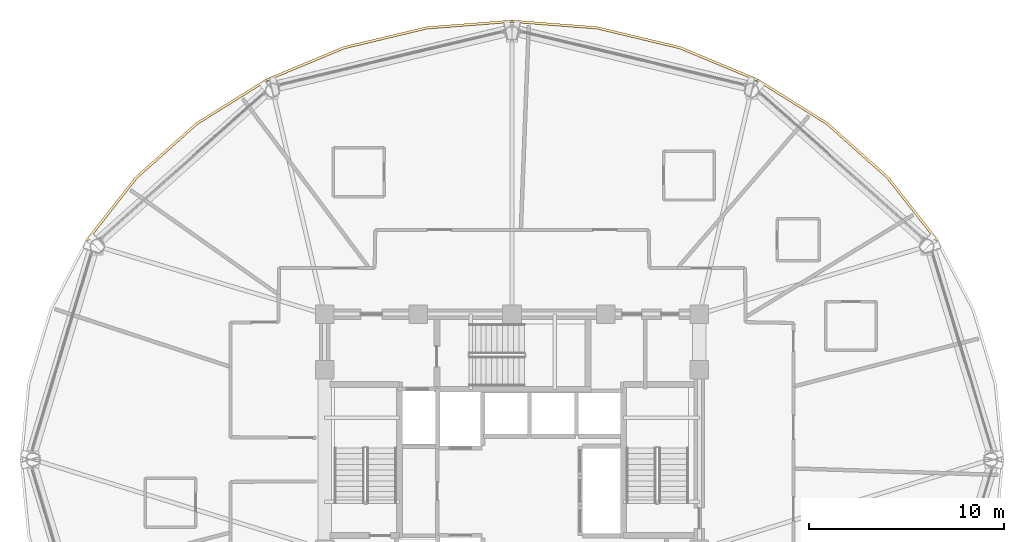
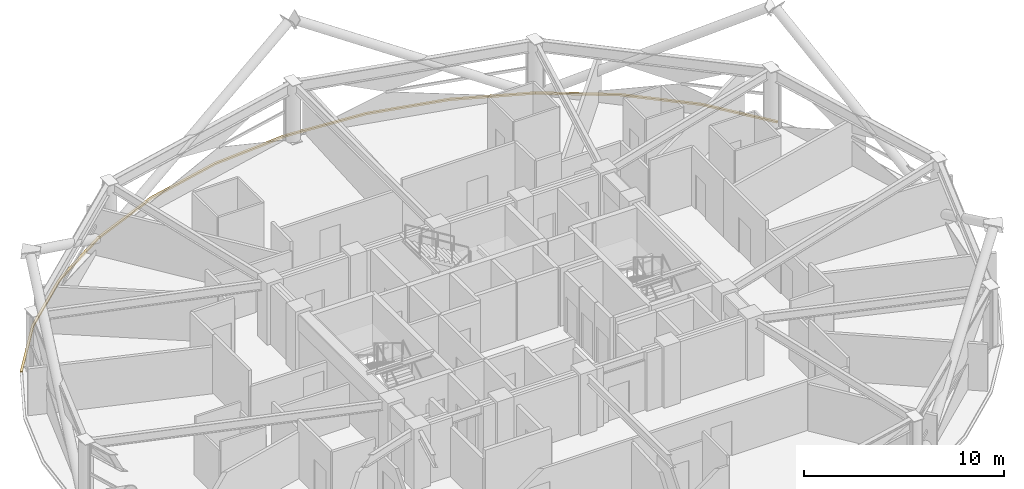
# One storey, part 29 of 29: 4 coverings.
"""IFC4 building model written with IfcOpenShell, lengths in metres."""

import ifcopenshell
import ifcopenshell.guid

model = None  # the IFC model being written
_history = None  # IfcOwnerHistory: only IFC2X3 demands one
_inside = {}  # id of a spatial element -> (the spatial element, [elements in it])
_under = {}  # id of a project, library or spatial element -> (it, [spatial elements below it])
_declared = {}  # id of a project -> (the project, [libraries it declares])
_typed = {}  # id of a type object -> (the type object, [elements of that type])
_made_of = {}  # id of a material, layer set ... -> (it, [elements and type objects made of it])


def new_model(schema):
    """Start an empty IFC model of exactly this schema.

    Asked for "IFC4X3", IfcOpenShell would pick the latest addendum, in which some entities
    have other attributes; the version numbers below select the first issue.
    IFC2X3 requires an IfcOwnerHistory on every rooted entity: one is made here for all.
    """
    global model, _history
    if schema == "IFC4X3":
        model = ifcopenshell.file(schema_version=(4, 3, 0, 0))
    else:
        model = ifcopenshell.file(schema=schema)
    _inside.clear()
    _under.clear()
    _declared.clear()
    _typed.clear()
    _made_of.clear()
    _history = None
    if model.schema == "IFC2X3":
        org = make("IfcOrganization", Name="unknown")
        user = make(
            "IfcPersonAndOrganization",
            ThePerson=make("IfcPerson", FamilyName="unknown"),
            TheOrganization=org,
        )
        app = make(
            "IfcApplication",
            ApplicationDeveloper=org,
            Version="unknown",
            ApplicationFullName="unknown",
            ApplicationIdentifier="unknown",
        )
        _history = make(
            "IfcOwnerHistory",
            OwningUser=user,
            OwningApplication=app,
            ChangeAction="ADDED",
            CreationDate=0,
        )
    return model


def make(cls, **values):
    """One entity of the class cls with the attributes given. An attribute that is None is left unset."""
    return model.create_entity(
        cls, **{name: value for name, value in values.items() if value is not None}
    )


def rooted(cls, **values):
    """An entity with a GlobalId (a new one), such as an element, a storey or a relation."""
    return make(cls, GlobalId=ifcopenshell.guid.new(), OwnerHistory=_history, **values)


def si_unit(unit_type, name, prefix=None):
    """IfcSIUnit, for example si_unit("LENGTHUNIT", "METRE", prefix="MILLI")."""
    return make("IfcSIUnit", UnitType=unit_type, Prefix=prefix, Name=name)


def assignment(units):
    """IfcUnitAssignment: the units of a project."""
    return None if units is None else make("IfcUnitAssignment", Units=units)


def point(xyz):
    """IfcCartesianPoint."""
    return None if xyz is None else make("IfcCartesianPoint", Coordinates=xyz)


def direction(xyz):
    """IfcDirection."""
    return None if xyz is None else make("IfcDirection", DirectionRatios=xyz)


def frame(location, z_axis=None, x_axis=None):
    """IfcAxis2Placement3D, a coordinate frame: its origin and axes. An axis left out is left unset."""
    return make(
        "IfcAxis2Placement3D",
        Location=point(location),
        Axis=direction(z_axis),
        RefDirection=direction(x_axis),
    )


def origin():
    """The frame at (0, 0, 0) with its axes left unset."""
    return frame((0.0, 0.0, 0.0))


def place(relative_to, where):
    """IfcLocalPlacement: puts the frame where relative to a parent placement (None: the world)."""
    return make(
        "IfcLocalPlacement", PlacementRelTo=relative_to, RelativePlacement=where
    )


def context(
    kind, dimensions, precision=None, world=None, true_north=None, identifier=None
):
    """IfcGeometricRepresentationContext, for example the 3D "Model" context."""
    return make(
        "IfcGeometricRepresentationContext",
        ContextIdentifier=identifier,
        ContextType=kind,
        CoordinateSpaceDimension=dimensions,
        Precision=precision,
        WorldCoordinateSystem=world,
        TrueNorth=true_north,
    )


def subcontext(parent, identifier, kind, view, scale=None):
    """IfcGeometricRepresentationSubContext, for example "Body" below "Model"."""
    return make(
        "IfcGeometricRepresentationSubContext",
        ContextIdentifier=identifier,
        ContextType=kind,
        ParentContext=parent,
        TargetScale=scale,
        TargetView=view,
    )


def project(units=None, contexts=None):
    """IfcProject with its units and contexts."""
    return rooted(
        "IfcProject",
        Name="project",
        RepresentationContexts=contexts,
        UnitsInContext=assignment(units),
    )


def spatial(cls, under=None, at=None, **own):
    """A site, building, storey or space (cls), placed at a placement, below another one or the project."""
    s = rooted(cls, ObjectPlacement=at, **own)
    if under is not None:
        _under.setdefault(under.id(), (under, []))[1].append(s)
    return s


def polyline(points):
    """IfcPolyline through the points."""
    return make("IfcPolyline", Points=[point(p) for p in points])


def outline(outer, holes=None, kind="AREA"):
    """IfcArbitraryClosedProfileDef: a profile drawn as a closed curve; with holes, ...WithVoids."""
    if holes is None:
        return make("IfcArbitraryClosedProfileDef", ProfileType=kind, OuterCurve=outer)
    return make(
        "IfcArbitraryProfileDefWithVoids",
        ProfileType=kind,
        OuterCurve=outer,
        InnerCurves=holes,
    )


def extrude(swept, where, along, depth):
    """IfcExtrudedAreaSolid: the profile swept, set in the frame where, extruded along a direction by depth."""
    return make(
        "IfcExtrudedAreaSolid",
        SweptArea=swept,
        Position=where,
        ExtrudedDirection=direction(along),
        Depth=depth,
    )


def shape(context_of_items, identifier, shape_type, items):
    """IfcShapeRepresentation: the items that make up one representation, for example the "Body"."""
    return make(
        "IfcShapeRepresentation",
        ContextOfItems=context_of_items,
        RepresentationIdentifier=identifier,
        RepresentationType=shape_type,
        Items=items,
    )


def material(Name=None, Category=None):
    """IfcMaterial."""
    return make("IfcMaterial", Name=Name, Category=Category)


def layer(
    of_material, thickness, ventilated=None, Name=None, Category=None, Priority=None
):
    """IfcMaterialLayer: one layer of a wall or slab, of a material (None: an air gap)."""
    return make(
        "IfcMaterialLayer",
        Material=of_material,
        LayerThickness=thickness,
        IsVentilated=ventilated,
        Name=Name,
        Category=Category,
        Priority=Priority,
    )


def layer_set(layers, Name=None):
    """IfcMaterialLayerSet."""
    return make("IfcMaterialLayerSet", MaterialLayers=layers, LayerSetName=Name)


def made_of(thing, what):
    """Note that an element or type object is made of a material, layer set ...; save() writes the relation."""
    if what is not None:
        _made_of.setdefault(what.id(), (what, []))[1].append(thing)
    return thing


def type_object(cls, material=None, **own):
    """A type object (cls), such as IfcWallType, which elements share."""
    return made_of(rooted(cls, **own), material)


def element(
    cls,
    number,
    at=None,
    inside=None,
    cuts=None,
    type_object=None,
    material=None,
    context=None,
    identifier="Body",
    shape_type=None,
    held_by="IfcProductDefinitionShape",
    body=None,
    shapes=None,
    **own,
):
    """One element of the class cls, such as IfcWall. Its Tag is "e" and its number.

    at: its placement. inside: the storey or other place that contains it. cuts: it is an
    opening in that element (IfcRelVoidsElement). A single representation is given by context,
    identifier, shape_type and body (its items); several are given by shapes. held_by: the class
    of the entity that holds the representations. save() writes the other relations.
    """
    e = rooted(cls, Tag="e%d" % number, ObjectPlacement=at, **own)
    if body is not None:
        shapes = [shape(context, identifier, shape_type, body)]
    if shapes is not None:
        e.Representation = make(held_by, Representations=shapes)
    if inside is not None:
        _inside.setdefault(inside.id(), (inside, []))[1].append(e)
    if cuts is not None:
        rooted(
            "IfcRelVoidsElement", RelatingBuildingElement=cuts, RelatedOpeningElement=e
        )
    if type_object is not None:
        _typed.setdefault(type_object.id(), (type_object, []))[1].append(e)
    return made_of(e, material)


def aggregate(whole, parts):
    """IfcRelAggregates: a whole, such as a stair, and the parts it consists of."""
    return rooted("IfcRelAggregates", RelatingObject=whole, RelatedObjects=parts)


def save(model, path):
    """Write the relations noted so far, then the file.

    IfcRelAggregates (storeys below a building ...), IfcRelContainedInSpatialStructure (elements
    in a storey), IfcRelDefinesByType, IfcRelAssociatesMaterial and IfcRelDeclares: one each for
    every whole, place, type object, material and project.
    """
    for whole, parts in _under.values():
        aggregate(whole, parts)
    for where, things in _inside.values():
        rooted(
            "IfcRelContainedInSpatialStructure",
            RelatedElements=things,
            RelatingStructure=where,
        )
    for kind, things in _typed.values():
        rooted("IfcRelDefinesByType", RelatedObjects=things, RelatingType=kind)
    for what, things in _made_of.values():
        rooted("IfcRelAssociatesMaterial", RelatedObjects=things, RelatingMaterial=what)
    for by, libraries in _declared.values():
        rooted("IfcRelDeclares", RelatingContext=by, RelatedDefinitions=libraries)
    model.write(path)


model = new_model("IFC4")

# Units and contexts
model_context = context("Model", 3, precision=1e-05, world=origin(), true_north=direction((0.0, 1.0)))
body_context = subcontext(model_context, "Body", "Model", "MODEL_VIEW")
ifc_project = project(units=[si_unit("LENGTHUNIT", "METRE"), si_unit("AREAUNIT", "SQUARE_METRE"), si_unit("VOLUMEUNIT", "CUBIC_METRE"), si_unit("PLANEANGLEUNIT", "RADIAN"), si_unit("MASSUNIT", "GRAM", prefix="KILO")], contexts=[model_context])

# Site, building, storey
site_placement = place(None, origin())
site = spatial("IfcSite", under=ifc_project, at=site_placement, CompositionType="ELEMENT")
building_placement = place(site_placement, origin())
building = spatial("IfcBuilding", under=site, at=building_placement, Name="Vantalir Tower", CompositionType="ELEMENT")
storey_placement = place(building_placement, frame((0.0, 0.0, 164.699951171875)))
storey = spatial("IfcBuildingStorey", under=building, at=storey_placement, Name="L41", CompositionType="ELEMENT", Elevation=164.699951171875)

# Coverings
ifc_material = material(Name="Anodised champagne aluminium sill fascia", Category="aluminium")
ifc_layer = layer(ifc_material, 0.125)
ifc_layer_set = layer_set([ifc_layer], Name="Anodised champagne aluminium sill fascia")
covering_type = type_object("IfcCoveringType", Name="COV-SLAB-FASCIA-125", PredefinedType="CLADDING", material=ifc_layer_set)
covering_1_placement = place(storey_placement, frame((0.0, 0.0, -0.179931640625)))
element("IfcCovering", 1, at=covering_1_placement, inside=storey, type_object=covering_type, Name="L41 Perimeter Slab-Edge Sill Fascia 02", PredefinedType="CLADDING", context=body_context, shape_type="SweptSolid", body=[
    extrude(outline(polyline([(53.3330078125, 36.260986328125), (50.81298828125, 39.47802734375), (47.705078125, 42.25390625), (44.10595703125, 44.5048828125), (44.04296875, 44.39697265625), (47.625, 42.157958984375), (50.717041015625, 39.39697265625), (53.22509765625, 36.198974609375), (53.3330078125, 36.260986328125)])), origin(), (0.0, 0.0, 1.0), 0.10498046875),
])
covering_2_placement = place(storey_placement, frame((0.0, 0.0, -0.179931640625)))
element("IfcCovering", 2, at=covering_2_placement, inside=storey, type_object=covering_type, Name="L41 Perimeter Slab-Edge Sill Fascia 03", PredefinedType="CLADDING", context=body_context, shape_type="SweptSolid", body=[
    extrude(outline(polyline([(44.10595703125, 44.5048828125), (40.123046875, 46.1650390625), (35.8779296875, 47.180908203125), (31.5, 47.52294921875), (31.5, 47.39794921875), (35.85595703125, 47.05810546875), (40.080078125, 46.047119140625), (44.04296875, 44.39697265625), (44.10595703125, 44.5048828125)])), origin(), (0.0, 0.0, 1.0), 0.10498046875),
])
covering_3_placement = place(storey_placement, frame((0.0, 0.0, -0.179931640625)))
element("IfcCovering", 3, at=covering_3_placement, inside=storey, type_object=covering_type, Name="L41 Perimeter Slab-Edge Sill Fascia 04", PredefinedType="CLADDING", context=body_context, shape_type="SweptSolid", body=[
    extrude(outline(polyline([(31.5, 47.52294921875), (27.1220703125, 47.180908203125), (22.876953125, 46.1650390625), (18.89501953125, 44.5048828125), (18.95703125, 44.39697265625), (22.919921875, 46.047119140625), (27.14404296875, 47.05810546875), (31.5, 47.39794921875), (31.5, 47.52294921875)])), origin(), (0.0, 0.0, 1.0), 0.10498046875),
])
covering_4_placement = place(storey_placement, frame((0.0, 0.0, -0.179931640625)))
element("IfcCovering", 4, at=covering_4_placement, inside=storey, type_object=covering_type, Name="L41 Perimeter Slab-Edge Sill Fascia 05", PredefinedType="CLADDING", context=body_context, shape_type="SweptSolid", body=[
    extrude(outline(polyline([(18.89501953125, 44.5048828125), (15.294921875, 42.25390625), (12.18701171875, 39.47802734375), (9.6669921875, 36.260986328125), (9.77490234375, 36.198974609375), (12.282958984375, 39.39697265625), (15.375, 42.157958984375), (18.95703125, 44.39697265625), (18.89501953125, 44.5048828125)])), origin(), (0.0, 0.0, 1.0), 0.10498046875),
])

save(model, "model.ifc")
